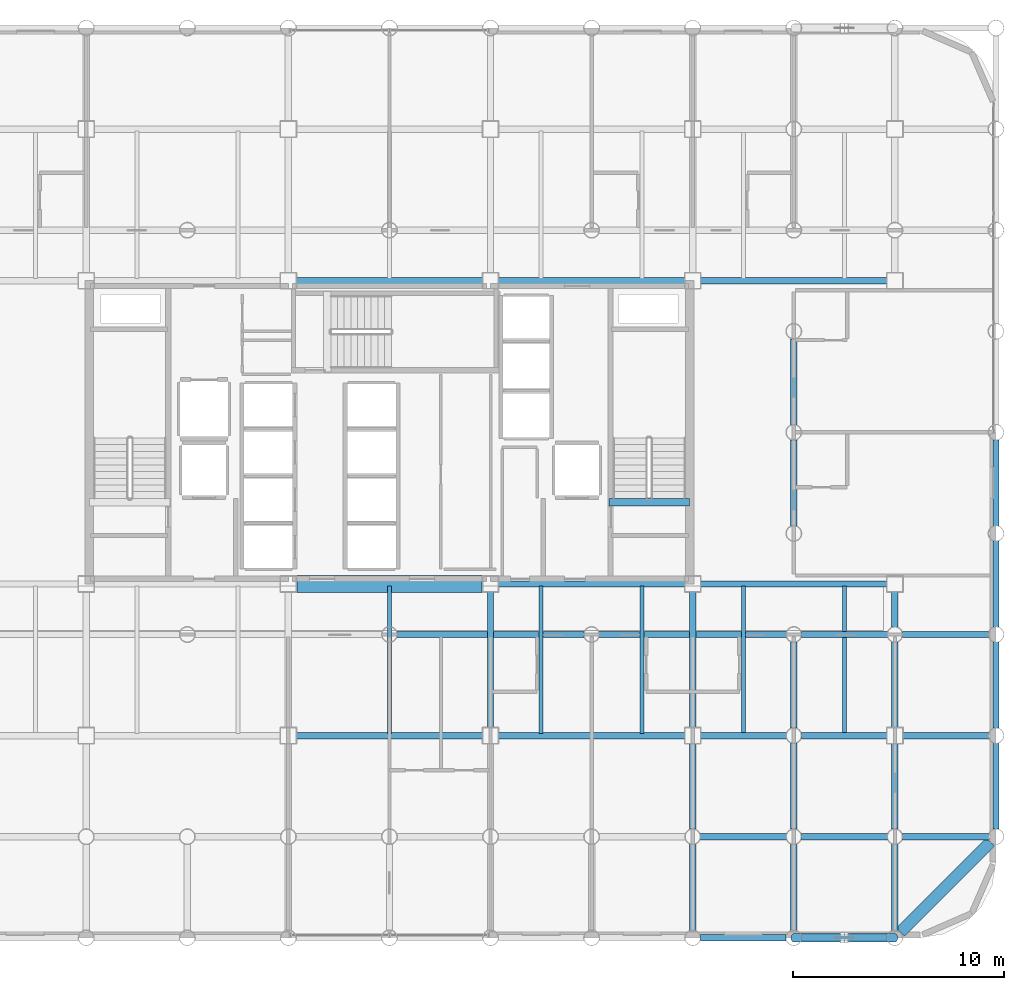
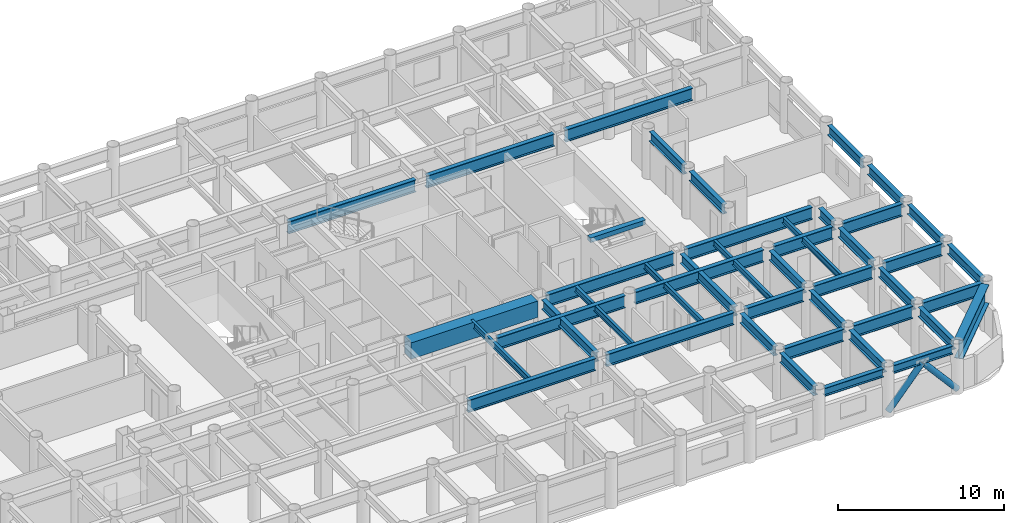
# One storey, part 7 of 22: 44 beams, 2 members.
"""IFC4 building model written with IfcOpenShell, lengths in metres."""

from ifc_helpers import new_model, si_unit, direction, frame, origin, origin_2d, place, context, subcontext, project, spatial, rectangle, hollow_circle, i_section, extrude, material, material_profile, profile_set, type_object, element, save


model = new_model("IFC4")

# Units and contexts
model_context = context("Model", 3, precision=1e-05, world=origin(), true_north=direction((0.0, 1.0)))
body_context = subcontext(model_context, "Body", "Model", "MODEL_VIEW")
ifc_project = project(units=[si_unit("LENGTHUNIT", "METRE"), si_unit("AREAUNIT", "SQUARE_METRE"), si_unit("VOLUMEUNIT", "CUBIC_METRE"), si_unit("PLANEANGLEUNIT", "RADIAN"), si_unit("MASSUNIT", "GRAM", prefix="KILO")], contexts=[model_context])

# Site, building, storey
site_placement = place(None, origin())
site = spatial("IfcSite", under=ifc_project, at=site_placement, CompositionType="ELEMENT")
building_placement = place(site_placement, origin())
building = spatial("IfcBuilding", under=site, at=building_placement, Name="Kallvorn Hotel Tower", CompositionType="ELEMENT")
storey_placement = place(building_placement, frame((0.0, 0.0, 48.5)))
storey = spatial("IfcBuildingStorey", under=building, at=storey_placement, Name="L10", CompositionType="ELEMENT", Elevation=48.5)

# Beams
ifc_material_1 = material(Name="Structural steel S355JR", Category="steel")
ifc_material_profile_1 = material_profile(ifc_material_1, i_section(OverallWidth=0.300048828125, OverallDepth=0.60009765625, WebThickness=0.015380859375, FlangeThickness=0.030029296875, at=origin_2d()), Name="HE 600 B")
ifc_profile_set_1 = profile_set([ifc_material_profile_1], Name="Structural steel S355JR")
beam_type_1 = type_object("IfcBeamType", Name="BM_HE600B", PredefinedType="SPANDREL", material=ifc_profile_set_1)
beam_1_placement = place(storey_placement, frame((14.77099609375, -24.0, 3.219970703125), z_axis=(1.0, 0.0, 0.0), x_axis=(0.0, 1.0, 0.0)))
element("IfcBeam", 1, at=beam_1_placement, inside=storey, type_object=beam_type_1, Name="L11 Perimeter Spandrel 160", PredefinedType="SPANDREL", context=body_context, shape_type="SweptSolid", body=[
    extrude(i_section(OverallWidth=0.300048828125, OverallDepth=0.60009765625, WebThickness=0.015380859375, FlangeThickness=0.030029296875, at=origin_2d()), origin(), (0.0, 0.0, 1.0), 4.05810546875),
])
beam_2_placement = place(storey_placement, frame((19.571044921875, -24.0, 3.219970703125), z_axis=(1.0, 0.0, 0.0), x_axis=(0.0, 1.0, 0.0)))
element("IfcBeam", 2, at=beam_2_placement, inside=storey, type_object=beam_type_1, Name="L11 Perimeter Spandrel 161", PredefinedType="SPANDREL", context=body_context, shape_type="SweptSolid", body=[
    extrude(i_section(OverallWidth=0.300048828125, OverallDepth=0.60009765625, WebThickness=0.015380859375, FlangeThickness=0.030029296875, at=origin_2d()), origin(), (0.0, 0.0, 1.0), 4.057861328125),
])
ifc_material_2 = material(Name="Structural steel S355JR", Category="steel")
ifc_material_profile_2 = material_profile(ifc_material_2, i_section(OverallWidth=0.300048828125, OverallDepth=0.699951171875, WebThickness=0.01708984375, FlangeThickness=0.031982421875, at=origin_2d()), Name="HE 700 B")
ifc_profile_set_2 = profile_set([ifc_material_profile_2], Name="Structural steel S355JR")
beam_type_2 = type_object("IfcBeamType", Name="BM_HE700B", PredefinedType="BEAM", material=ifc_profile_set_2)
beam_3_placement = place(storey_placement, frame((4.800048828125, -14.02490234375, 3.169921875), z_axis=(0.0, 1.0, 0.0), x_axis=(-1.0, 0.0, 0.0)))
element("IfcBeam", 3, at=beam_3_placement, inside=storey, type_object=beam_type_2, Name="L11 Primary Y-Girder 116", PredefinedType="BEAM", context=body_context, shape_type="SweptSolid", body=[
    extrude(i_section(OverallWidth=0.300048828125, OverallDepth=0.699951171875, WebThickness=0.01708984375, FlangeThickness=0.031982421875, at=origin_2d()), origin(), (0.0, 0.0, 1.0), 6.449951171875),
])
beam_4_placement = place(storey_placement, frame((14.39990234375, -23.64404296875, 3.169921875), z_axis=(0.0, 1.0, 0.0), x_axis=(-1.0, 0.0, 0.0)))
element("IfcBeam", 4, at=beam_4_placement, inside=storey, type_object=beam_type_2, Name="L11 Primary Y-Girder 122", PredefinedType="BEAM", context=body_context, shape_type="SweptSolid", body=[
    extrude(i_section(OverallWidth=0.300048828125, OverallDepth=0.699951171875, WebThickness=0.01708984375, FlangeThickness=0.031982421875, at=origin_2d()), origin(), (0.0, 0.0, 1.0), 4.088134765625),
])
beam_5_placement = place(storey_placement, frame((14.39990234375, -18.843994140625, 3.169921875), z_axis=(0.0, 1.0, 0.0), x_axis=(-1.0, 0.0, 0.0)))
element("IfcBeam", 5, at=beam_5_placement, inside=storey, type_object=beam_type_2, Name="L11 Primary Y-Girder 123", PredefinedType="BEAM", context=body_context, shape_type="SweptSolid", body=[
    extrude(i_section(OverallWidth=0.300048828125, OverallDepth=0.699951171875, WebThickness=0.01708984375, FlangeThickness=0.031982421875, at=origin_2d()), origin(), (0.0, 0.0, 1.0), 4.069091796875),
])
beam_6_placement = place(storey_placement, frame((14.39990234375, -14.02490234375, 3.169921875), z_axis=(0.0, 1.0, 0.0), x_axis=(-1.0, 0.0, 0.0)))
element("IfcBeam", 6, at=beam_6_placement, inside=storey, type_object=beam_type_2, Name="L11 Primary Y-Girder 124", PredefinedType="BEAM", context=body_context, shape_type="SweptSolid", body=[
    extrude(i_section(OverallWidth=0.300048828125, OverallDepth=0.699951171875, WebThickness=0.01708984375, FlangeThickness=0.031982421875, at=origin_2d()), origin(), (0.0, 0.0, 1.0), 6.449951171875),
])
beam_7_placement = place(storey_placement, frame((19.199951171875, -23.64404296875, 3.169921875), z_axis=(0.0, 1.0, 0.0), x_axis=(-1.0, 0.0, 0.0)))
element("IfcBeam", 7, at=beam_7_placement, inside=storey, type_object=beam_type_2, Name="L11 Primary Y-Girder 127", PredefinedType="BEAM", context=body_context, shape_type="SweptSolid", body=[
    extrude(i_section(OverallWidth=0.300048828125, OverallDepth=0.699951171875, WebThickness=0.01708984375, FlangeThickness=0.031982421875, at=origin_2d()), origin(), (0.0, 0.0, 1.0), 4.088134765625),
])
for number, where, z_axis, x_axis, name in (
    (8, (19.199951171875, -18.843994140625, 3.169921875), (0.0, 1.0, 0.0), (-1.0, 0.0, 0.0), "L11 Primary Y-Girder 128"),
    (9, (19.199951171875, -14.0439453125, 3.169921875), (0.0, 1.0, 0.0), (-1.0, 0.0, 0.0), "L11 Primary Y-Girder 129"),
):
    element("IfcBeam", number, at=place(storey_placement, frame(where, z_axis=z_axis, x_axis=x_axis)), inside=storey, type_object=beam_type_2, Name=name, PredefinedType="BEAM", context=body_context, shape_type="SweptSolid", body=[
        extrude(i_section(OverallWidth=0.300048828125, OverallDepth=0.699951171875, WebThickness=0.01708984375, FlangeThickness=0.031982421875, at=origin_2d()), origin(), (0.0, 0.0, 1.0), 4.087890625),
    ])
for number, where, z_axis, x_axis, name in (
    (10, (19.199951171875, -4.444091796875, 3.169921875), (0.0, 1.0, 0.0), (-1.0, 0.0, 0.0), "L11 Primary Y-Girder 131"),
    (11, (19.199951171875, 0.35595703125, 3.169921875), (0.0, 1.0, 0.0), (-1.0, 0.0, 0.0), "L11 Primary Y-Girder 132"),
    (12, (24.0, -23.64404296875, 3.169921875), (0.0, 1.0, 0.0), (-1.0, 0.0, 0.0), "L11 Primary Y-Girder 136"),
):
    element("IfcBeam", number, at=place(storey_placement, frame(where, z_axis=z_axis, x_axis=x_axis)), inside=storey, type_object=beam_type_2, Name=name, PredefinedType="BEAM", context=body_context, shape_type="SweptSolid", body=[
        extrude(i_section(OverallWidth=0.300048828125, OverallDepth=0.699951171875, WebThickness=0.01708984375, FlangeThickness=0.031982421875, at=origin_2d()), origin(), (0.0, 0.0, 1.0), 4.088134765625),
    ])
beam_8_placement = place(storey_placement, frame((24.0, -18.843994140625, 3.169921875), z_axis=(0.0, 1.0, 0.0), x_axis=(-1.0, 0.0, 0.0)))
element("IfcBeam", 13, at=beam_8_placement, inside=storey, type_object=beam_type_2, Name="L11 Primary Y-Girder 137", PredefinedType="BEAM", context=body_context, shape_type="SweptSolid", body=[
    extrude(i_section(OverallWidth=0.300048828125, OverallDepth=0.699951171875, WebThickness=0.01708984375, FlangeThickness=0.031982421875, at=origin_2d()), origin(), (0.0, 0.0, 1.0), 4.069091796875),
])
beam_9_placement = place(storey_placement, frame((24.0, -14.02490234375, 3.169921875), z_axis=(0.0, 1.0, 0.0), x_axis=(-1.0, 0.0, 0.0)))
element("IfcBeam", 14, at=beam_9_placement, inside=storey, type_object=beam_type_2, Name="L11 Primary Y-Girder 138", PredefinedType="BEAM", context=body_context, shape_type="SweptSolid", body=[
    extrude(i_section(OverallWidth=0.300048828125, OverallDepth=0.699951171875, WebThickness=0.01708984375, FlangeThickness=0.031982421875, at=origin_2d()), origin(), (0.0, 0.0, 1.0), 4.06884765625),
])
beam_10_placement = place(storey_placement, frame((24.0, -9.243896484375, 3.169921875), z_axis=(0.0, 1.0, 0.0), x_axis=(-1.0, 0.0, 0.0)))
element("IfcBeam", 15, at=beam_10_placement, inside=storey, type_object=beam_type_2, Name="L11 Primary Y-Girder 139", PredefinedType="BEAM", context=body_context, shape_type="SweptSolid", body=[
    extrude(i_section(OverallWidth=0.300048828125, OverallDepth=0.699951171875, WebThickness=0.01708984375, FlangeThickness=0.031982421875, at=origin_2d()), origin(), (0.0, 0.0, 1.0), 1.6689453125),
])
for number, where, z_axis, x_axis, name in (
    (16, (28.800048828125, -18.843994140625, 3.169921875), (0.0, 1.0, 0.0), (-1.0, 0.0, 0.0), "L11 Primary Y-Girder 143"),
    (17, (28.800048828125, -14.0439453125, 3.169921875), (0.0, 1.0, 0.0), (-1.0, 0.0, 0.0), "L11 Primary Y-Girder 144"),
    (18, (28.800048828125, -9.243896484375, 3.169921875), (0.0, 1.0, 0.0), (-1.0, 0.0, 0.0), "L11 Primary Y-Girder 145"),
):
    element("IfcBeam", number, at=place(storey_placement, frame(where, z_axis=z_axis, x_axis=x_axis)), inside=storey, type_object=beam_type_2, Name=name, PredefinedType="BEAM", context=body_context, shape_type="SweptSolid", body=[
        extrude(i_section(OverallWidth=0.300048828125, OverallDepth=0.699951171875, WebThickness=0.01708984375, FlangeThickness=0.031982421875, at=origin_2d()), origin(), (0.0, 0.0, 1.0), 4.087890625),
    ])
beam_11_placement = place(storey_placement, frame((28.800048828125, -4.444091796875, 3.169921875), z_axis=(0.0, 1.0, 0.0), x_axis=(-1.0, 0.0, 0.0)))
element("IfcBeam", 19, at=beam_11_placement, inside=storey, type_object=beam_type_2, Name="L11 Primary Y-Girder 146", PredefinedType="BEAM", context=body_context, shape_type="SweptSolid", body=[
    extrude(i_section(OverallWidth=0.300048828125, OverallDepth=0.699951171875, WebThickness=0.01708984375, FlangeThickness=0.031982421875, at=origin_2d()), origin(), (0.0, 0.0, 1.0), 4.088134765625),
])
ifc_material_3 = material(Name="Structural steel S355JR", Category="steel")
ifc_material_profile_3 = material_profile(ifc_material_3, i_section(OverallWidth=0.300048828125, OverallDepth=0.89990234375, WebThickness=0.0185546875, FlangeThickness=0.034912109375, at=origin_2d()), Name="HE 900 B")
ifc_profile_set_3 = profile_set([ifc_material_profile_3], Name="Structural steel S355JR")
beam_type_3 = type_object("IfcBeamType", Name="BM_HE900B", PredefinedType="BEAM", material=ifc_profile_set_3)
beam_12_placement = place(storey_placement, frame((14.756103515625, -19.199951171875, 3.070068359375), z_axis=(1.0, 0.0, 0.0), x_axis=(0.0, 1.0, 0.0)))
element("IfcBeam", 20, at=beam_12_placement, inside=storey, type_object=beam_type_3, Name="L11 Primary X-Girder 11", PredefinedType="BEAM", context=body_context, shape_type="SweptSolid", body=[
    extrude(i_section(OverallWidth=0.300048828125, OverallDepth=0.89990234375, WebThickness=0.0185546875, FlangeThickness=0.034912109375, at=origin_2d()), origin(), (0.0, 0.0, 1.0), 4.087890625),
])
for number, where, z_axis, x_axis, name in (
    (21, (19.555908203125, -19.199951171875, 3.070068359375), (1.0, 0.0, 0.0), (0.0, 1.0, 0.0), "L11 Primary X-Girder 12"),
    (22, (24.35595703125, -19.199951171875, 3.070068359375), (1.0, 0.0, 0.0), (0.0, 1.0, 0.0), "L11 Primary X-Girder 13"),
):
    element("IfcBeam", number, at=place(storey_placement, frame(where, z_axis=z_axis, x_axis=x_axis)), inside=storey, type_object=beam_type_3, Name=name, PredefinedType="BEAM", context=body_context, shape_type="SweptSolid", body=[
        extrude(i_section(OverallWidth=0.300048828125, OverallDepth=0.89990234375, WebThickness=0.0185546875, FlangeThickness=0.034912109375, at=origin_2d()), origin(), (0.0, 0.0, 1.0), 4.088134765625),
    ])
beam_13_placement = place(storey_placement, frame((-4.425048828125, -14.39990234375, 3.070068359375), z_axis=(1.0, 0.0, 0.0), x_axis=(0.0, 1.0, 0.0)))
element("IfcBeam", 23, at=beam_13_placement, inside=storey, type_object=beam_type_3, Name="L11 Primary X-Girder 19", PredefinedType="BEAM", context=body_context, shape_type="SweptSolid", body=[
    extrude(i_section(OverallWidth=0.300048828125, OverallDepth=0.89990234375, WebThickness=0.0185546875, FlangeThickness=0.034912109375, at=origin_2d()), origin(), (0.0, 0.0, 1.0), 8.85009765625),
])
beam_14_placement = place(storey_placement, frame((5.175048828125, -14.39990234375, 3.070068359375), z_axis=(1.0, 0.0, 0.0), x_axis=(0.0, 1.0, 0.0)))
element("IfcBeam", 24, at=beam_14_placement, inside=storey, type_object=beam_type_3, Name="L11 Primary X-Girder 20", PredefinedType="BEAM", context=body_context, shape_type="SweptSolid", body=[
    extrude(i_section(OverallWidth=0.300048828125, OverallDepth=0.89990234375, WebThickness=0.0185546875, FlangeThickness=0.034912109375, at=origin_2d()), origin(), (0.0, 0.0, 1.0), 8.849853515625),
])
for number, where, z_axis, x_axis, name in (
    (25, (14.77490234375, -14.39990234375, 3.070068359375), (1.0, 0.0, 0.0), (0.0, 1.0, 0.0), "L11 Primary X-Girder 21"),
    (26, (19.555908203125, -14.39990234375, 3.070068359375), (1.0, 0.0, 0.0), (0.0, 1.0, 0.0), "L11 Primary X-Girder 22"),
    (27, (24.375, -14.39990234375, 3.070068359375), (1.0, 0.0, 0.0), (0.0, 1.0, 0.0), "L11 Primary X-Girder 23"),
):
    element("IfcBeam", number, at=place(storey_placement, frame(where, z_axis=z_axis, x_axis=x_axis)), inside=storey, type_object=beam_type_3, Name=name, PredefinedType="BEAM", context=body_context, shape_type="SweptSolid", body=[
        extrude(i_section(OverallWidth=0.300048828125, OverallDepth=0.89990234375, WebThickness=0.0185546875, FlangeThickness=0.034912109375, at=origin_2d()), origin(), (0.0, 0.0, 1.0), 4.069091796875),
    ])
for number, where, z_axis, x_axis, name in (
    (28, (0.35595703125, -9.60009765625, 3.070068359375), (1.0, 0.0, 0.0), (0.0, 1.0, 0.0), "L11 Primary X-Girder 29"),
    (29, (9.9560546875, -9.60009765625, 3.070068359375), (1.0, 0.0, 0.0), (0.0, 1.0, 0.0), "L11 Primary X-Girder 30"),
):
    element("IfcBeam", number, at=place(storey_placement, frame(where, z_axis=z_axis, x_axis=x_axis)), inside=storey, type_object=beam_type_3, Name=name, PredefinedType="BEAM", context=body_context, shape_type="SweptSolid", body=[
        extrude(i_section(OverallWidth=0.300048828125, OverallDepth=0.89990234375, WebThickness=0.0185546875, FlangeThickness=0.034912109375, at=origin_2d()), origin(), (0.0, 0.0, 1.0), 8.887939453125),
    ])
for number, where, z_axis, x_axis, name in (
    (30, (19.555908203125, -9.60009765625, 3.070068359375), (1.0, 0.0, 0.0), (0.0, 1.0, 0.0), "L11 Primary X-Girder 31"),
    (31, (24.35595703125, -9.60009765625, 3.070068359375), (1.0, 0.0, 0.0), (0.0, 1.0, 0.0), "L11 Primary X-Girder 32"),
):
    element("IfcBeam", number, at=place(storey_placement, frame(where, z_axis=z_axis, x_axis=x_axis)), inside=storey, type_object=beam_type_3, Name=name, PredefinedType="BEAM", context=body_context, shape_type="SweptSolid", body=[
        extrude(i_section(OverallWidth=0.300048828125, OverallDepth=0.89990234375, WebThickness=0.0185546875, FlangeThickness=0.034912109375, at=origin_2d()), origin(), (0.0, 0.0, 1.0), 4.088134765625),
    ])
beam_15_placement = place(storey_placement, frame((5.175048828125, -7.199951171875, 3.070068359375), z_axis=(1.0, 0.0, 0.0), x_axis=(0.0, 1.0, 0.0)))
element("IfcBeam", 32, at=beam_15_placement, inside=storey, type_object=beam_type_3, Name="L11 Primary X-Girder 35", PredefinedType="BEAM", context=body_context, shape_type="SweptSolid", body=[
    extrude(i_section(OverallWidth=0.300048828125, OverallDepth=0.89990234375, WebThickness=0.0185546875, FlangeThickness=0.034912109375, at=origin_2d()), origin(), (0.0, 0.0, 1.0), 8.849853515625),
])
for number, where, z_axis, x_axis, name in (
    (33, (14.77490234375, -7.199951171875, 3.070068359375), (1.0, 0.0, 0.0), (0.0, 1.0, 0.0), "L11 Primary X-Girder 36"),
    (34, (-4.425048828125, 7.199951171875, 3.070068359375), (1.0, 0.0, 0.0), (0.0, 1.0, 0.0), "L11 Primary X-Girder 39"),
):
    element("IfcBeam", number, at=place(storey_placement, frame(where, z_axis=z_axis, x_axis=x_axis)), inside=storey, type_object=beam_type_3, Name=name, PredefinedType="BEAM", context=body_context, shape_type="SweptSolid", body=[
        extrude(i_section(OverallWidth=0.300048828125, OverallDepth=0.89990234375, WebThickness=0.0185546875, FlangeThickness=0.034912109375, at=origin_2d()), origin(), (0.0, 0.0, 1.0), 8.85009765625),
    ])
beam_16_placement = place(storey_placement, frame((5.175048828125, 7.199951171875, 3.070068359375), z_axis=(1.0, 0.0, 0.0), x_axis=(0.0, 1.0, 0.0)))
element("IfcBeam", 35, at=beam_16_placement, inside=storey, type_object=beam_type_3, Name="L11 Primary X-Girder 40", PredefinedType="BEAM", context=body_context, shape_type="SweptSolid", body=[
    extrude(i_section(OverallWidth=0.300048828125, OverallDepth=0.89990234375, WebThickness=0.0185546875, FlangeThickness=0.034912109375, at=origin_2d()), origin(), (0.0, 0.0, 1.0), 8.849853515625),
])
beam_17_placement = place(storey_placement, frame((14.77490234375, 7.199951171875, 3.070068359375), z_axis=(1.0, 0.0, 0.0), x_axis=(0.0, 1.0, 0.0)))
element("IfcBeam", 36, at=beam_17_placement, inside=storey, type_object=beam_type_3, Name="L11 Primary X-Girder 41", PredefinedType="BEAM", context=body_context, shape_type="SweptSolid", body=[
    extrude(i_section(OverallWidth=0.300048828125, OverallDepth=0.89990234375, WebThickness=0.0185546875, FlangeThickness=0.034912109375, at=origin_2d()), origin(), (0.0, 0.0, 1.0), 8.85009765625),
])
ifc_material_4 = material(Name="Structural steel S355JR", Category="steel")
ifc_material_profile_4 = material_profile(ifc_material_4, i_section(OverallWidth=0.18994140625, OverallDepth=0.449951171875, WebThickness=0.009521484375, FlangeThickness=0.0146484375, at=origin_2d()), Name="IPE 450")
ifc_profile_set_4 = profile_set([ifc_material_profile_4], Name="Structural steel S355JR")
beam_type_4 = type_object("IfcBeamType", Name="BM_IPE450", PredefinedType="JOIST", material=ifc_profile_set_4)
for number, where, z_axis, x_axis, name in (
    (37, (0.0, -14.300048828125, 3.294921875), (0.0, 1.0, 0.0), (-1.0, 0.0, 0.0), "L11 Secondary Composite Joist 200"),
    (38, (7.199951171875, -14.300048828125, 3.294921875), (0.0, 1.0, 0.0), (-1.0, 0.0, 0.0), "L11 Secondary Composite Joist 202"),
    (39, (12.0, -14.300048828125, 3.294921875), (0.0, 1.0, 0.0), (-1.0, 0.0, 0.0), "L11 Secondary Composite Joist 204"),
    (40, (16.800048828125, -14.300048828125, 3.294921875), (0.0, 1.0, 0.0), (-1.0, 0.0, 0.0), "L11 Secondary Composite Joist 206"),
    (41, (21.60009765625, -14.300048828125, 3.294921875), (0.0, 1.0, 0.0), (-1.0, 0.0, 0.0), "L11 Secondary Composite Joist 208"),
):
    element("IfcBeam", number, at=place(storey_placement, frame(where, z_axis=z_axis, x_axis=x_axis)), inside=storey, type_object=beam_type_4, Name=name, PredefinedType="JOIST", context=body_context, shape_type="SweptSolid", body=[
        extrude(i_section(OverallWidth=0.18994140625, OverallDepth=0.449951171875, WebThickness=0.009521484375, FlangeThickness=0.0146484375, at=origin_2d()), origin(), (0.0, 0.0, 1.0), 7.0),
    ])
ifc_material_5 = material(Name="Structural steel S355JR", Category="steel")
ifc_material_profile_5 = material_profile(ifc_material_5, i_section(OverallWidth=0.550048828125, OverallDepth=1.39990234375, WebThickness=0.02490234375, FlangeThickness=0.044921875, at=origin_2d()), Name="PG 1400x550x25x45")
ifc_profile_set_5 = profile_set([ifc_material_profile_5], Name="Structural steel S355JR")
beam_type_5 = type_object("IfcBeamType", Name="BM_PG_1400", PredefinedType="BEAM", material=ifc_profile_set_5)
beam_18_placement = place(storey_placement, frame((28.53759765625, -19.46240234375, 2.820068359375), z_axis=(-0.707106781187, -0.707106781187, 0.0), x_axis=(0.707106781187, -0.707106781187, 0.0)))
element("IfcBeam", 42, at=beam_18_placement, inside=storey, type_object=beam_type_5, Name="L11 Rounded Corner Tie Beam 191", PredefinedType="BEAM", context=body_context, shape_type="SweptSolid", body=[
    extrude(i_section(OverallWidth=0.550048828125, OverallDepth=1.39990234375, WebThickness=0.02490234375, FlangeThickness=0.044921875, at=origin_2d()), origin(), (0.0, 0.0, 1.0), 6.04638671875),
])
ifc_material_6 = material(Name="Concrete C50/60", Category="concrete")
ifc_material_profile_6 = material_profile(ifc_material_6, rectangle(XDim=0.360107421875, YDim=0.340087890625, at=origin_2d()), Name="RC 360x340")
ifc_profile_set_6 = profile_set([ifc_material_profile_6], Name="Concrete C50/60")
beam_type_6 = type_object("IfcBeamType", Name="BM_RC_400x360", PredefinedType="BEAM", material=ifc_profile_set_6)
beam_19_placement = place(storey_placement, frame((14.239990234375, -3.31005859375, 3.35009765625), z_axis=(-1.0, 0.0, 0.0), x_axis=(0.0, -1.0, 0.0)))
element("IfcBeam", 43, at=beam_19_placement, inside=storey, type_object=beam_type_6, Name="L11 Stair ST2 Arrival Trimmer Beam", PredefinedType="BEAM", context=body_context, shape_type="SweptSolid", body=[
    extrude(rectangle(XDim=0.360107421875, YDim=0.340087890625, at=origin_2d()), origin(), (0.0, 0.0, 1.0), 3.820068359375),
])
ifc_material_7 = material(Name="Concrete C50/60", Category="concrete")
ifc_material_profile_7 = material_profile(ifc_material_7, rectangle(XDim=0.800048828125, YDim=1.199951171875, at=origin_2d()), Name="RC 800x1200")
ifc_profile_set_7 = profile_set([ifc_material_profile_7], Name="Concrete C50/60")
beam_type_7 = type_object("IfcBeamType", Name="BM_RC_800x1200", PredefinedType="T_BEAM", material=ifc_profile_set_7)
beam_20_placement = place(storey_placement, frame((-4.39990234375, -7.199951171875, 2.919921875), z_axis=(1.0, 0.0, 0.0), x_axis=(0.0, 1.0, 0.0)))
element("IfcBeam", 44, at=beam_20_placement, inside=storey, type_object=beam_type_7, Name="L10 Core Coupling Beam South", PredefinedType="T_BEAM", context=body_context, shape_type="SweptSolid", body=[
    extrude(rectangle(XDim=0.800048828125, YDim=1.199951171875, at=origin_2d()), origin(), (0.0, 0.0, 1.0), 8.7998046875),
])

# Members
ifc_material_8 = material(Name="Structural steel S355J2H", Category="steel")
ifc_material_profile_8 = material_profile(ifc_material_8, hollow_circle(Radius=0.203125, WallThickness=0.01611328125, at=origin_2d()), Name="CHS 406.4x16")
ifc_profile_set_8 = profile_set([ifc_material_profile_8], Name="Structural steel S355J2H")
member_type = type_object("IfcMemberType", Name="MBR_EXO_CHS406", PredefinedType="BRACE", material=ifc_profile_set_8)
for number, where, z_axis, x_axis, name in (
    (45, (19.213134765625, -24.0, 0.195068359375), (0.65346062529, 0.0, 0.756960508346), (0.0, 1.0, 0.0), "L10 Exoskeleton K-Brace S2A"),
    (46, (23.98681640625, -24.0, 0.195068359375), (-0.65346062529, 0.0, 0.756960508346), (0.0, -1.0, 0.0), "L10 Exoskeleton K-Brace S2B"),
):
    element("IfcMember", number, at=place(storey_placement, frame(where, z_axis=z_axis, x_axis=x_axis)), inside=storey, type_object=member_type, Name=name, PredefinedType="BRACE", context=body_context, shape_type="SweptSolid", body=[
        extrude(hollow_circle(Radius=0.203125, WallThickness=0.01611328125, at=origin_2d()), origin(), (0.0, 0.0, 1.0), 3.632568359375),
    ])

save(model, "model.ifc")
